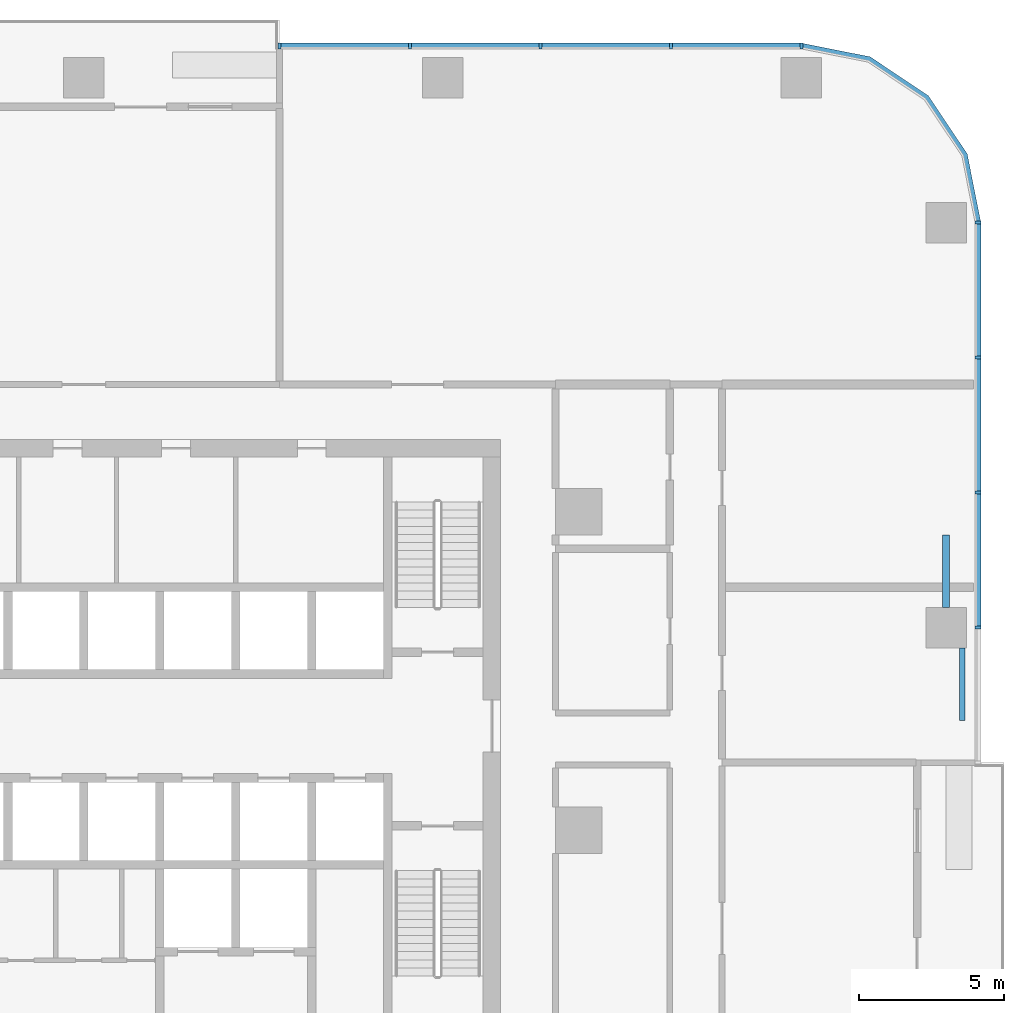
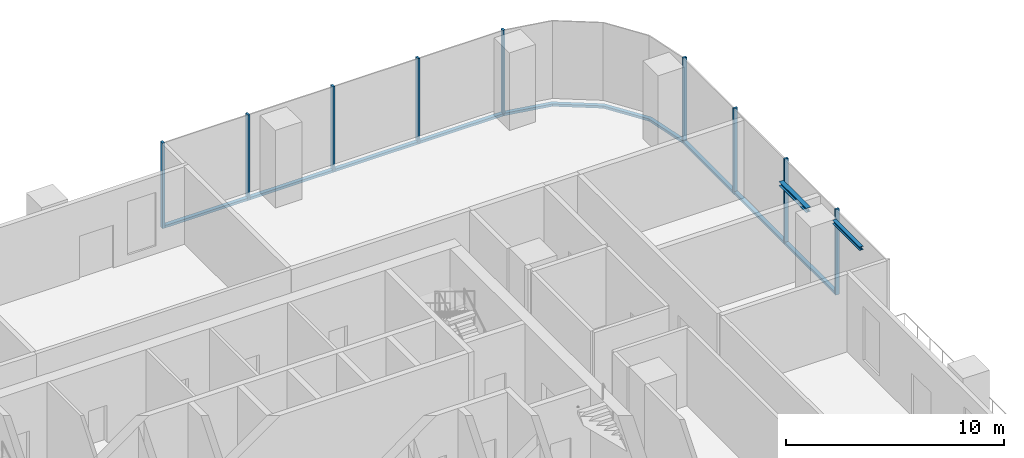
# One storey, part 5 of 14: 17 members, 2 beams, 3 elements without a shape of their own.
"""IFC4 building model written with IfcOpenShell, lengths in metres."""

import ifcopenshell
import ifcopenshell.guid

model = None  # the IFC model being written
_history = None  # IfcOwnerHistory: only IFC2X3 demands one
_inside = {}  # id of a spatial element -> (the spatial element, [elements in it])
_under = {}  # id of a project, library or spatial element -> (it, [spatial elements below it])
_declared = {}  # id of a project -> (the project, [libraries it declares])
_typed = {}  # id of a type object -> (the type object, [elements of that type])
_made_of = {}  # id of a material, layer set ... -> (it, [elements and type objects made of it])


def new_model(schema):
    """Start an empty IFC model of exactly this schema.

    Asked for "IFC4X3", IfcOpenShell would pick the latest addendum, in which some entities
    have other attributes; the version numbers below select the first issue.
    IFC2X3 requires an IfcOwnerHistory on every rooted entity: one is made here for all.
    """
    global model, _history
    if schema == "IFC4X3":
        model = ifcopenshell.file(schema_version=(4, 3, 0, 0))
    else:
        model = ifcopenshell.file(schema=schema)
    _inside.clear()
    _under.clear()
    _declared.clear()
    _typed.clear()
    _made_of.clear()
    _history = None
    if model.schema == "IFC2X3":
        org = make("IfcOrganization", Name="unknown")
        user = make(
            "IfcPersonAndOrganization",
            ThePerson=make("IfcPerson", FamilyName="unknown"),
            TheOrganization=org,
        )
        app = make(
            "IfcApplication",
            ApplicationDeveloper=org,
            Version="unknown",
            ApplicationFullName="unknown",
            ApplicationIdentifier="unknown",
        )
        _history = make(
            "IfcOwnerHistory",
            OwningUser=user,
            OwningApplication=app,
            ChangeAction="ADDED",
            CreationDate=0,
        )
    return model


def make(cls, **values):
    """One entity of the class cls with the attributes given. An attribute that is None is left unset."""
    return model.create_entity(
        cls, **{name: value for name, value in values.items() if value is not None}
    )


def rooted(cls, **values):
    """An entity with a GlobalId (a new one), such as an element, a storey or a relation."""
    return make(cls, GlobalId=ifcopenshell.guid.new(), OwnerHistory=_history, **values)


def si_unit(unit_type, name, prefix=None):
    """IfcSIUnit, for example si_unit("LENGTHUNIT", "METRE", prefix="MILLI")."""
    return make("IfcSIUnit", UnitType=unit_type, Prefix=prefix, Name=name)


def assignment(units):
    """IfcUnitAssignment: the units of a project."""
    return None if units is None else make("IfcUnitAssignment", Units=units)


def point(xyz):
    """IfcCartesianPoint."""
    return None if xyz is None else make("IfcCartesianPoint", Coordinates=xyz)


def direction(xyz):
    """IfcDirection."""
    return None if xyz is None else make("IfcDirection", DirectionRatios=xyz)


def frame(location, z_axis=None, x_axis=None):
    """IfcAxis2Placement3D, a coordinate frame: its origin and axes. An axis left out is left unset."""
    return make(
        "IfcAxis2Placement3D",
        Location=point(location),
        Axis=direction(z_axis),
        RefDirection=direction(x_axis),
    )


def frame_2d(location, x_axis=None):
    """IfcAxis2Placement2D, a coordinate frame in the plane: its origin and x axis."""
    return make(
        "IfcAxis2Placement2D", Location=point(location), RefDirection=direction(x_axis)
    )


def origin():
    """The frame at (0, 0, 0) with its axes left unset."""
    return frame((0.0, 0.0, 0.0))


def origin_2d():
    """The frame at (0, 0) in the plane with its x axis left unset."""
    return frame_2d((0.0, 0.0))


def place(relative_to, where):
    """IfcLocalPlacement: puts the frame where relative to a parent placement (None: the world)."""
    return make(
        "IfcLocalPlacement", PlacementRelTo=relative_to, RelativePlacement=where
    )


def context(
    kind, dimensions, precision=None, world=None, true_north=None, identifier=None
):
    """IfcGeometricRepresentationContext, for example the 3D "Model" context."""
    return make(
        "IfcGeometricRepresentationContext",
        ContextIdentifier=identifier,
        ContextType=kind,
        CoordinateSpaceDimension=dimensions,
        Precision=precision,
        WorldCoordinateSystem=world,
        TrueNorth=true_north,
    )


def subcontext(parent, identifier, kind, view, scale=None):
    """IfcGeometricRepresentationSubContext, for example "Body" below "Model"."""
    return make(
        "IfcGeometricRepresentationSubContext",
        ContextIdentifier=identifier,
        ContextType=kind,
        ParentContext=parent,
        TargetScale=scale,
        TargetView=view,
    )


def project(units=None, contexts=None):
    """IfcProject with its units and contexts."""
    return rooted(
        "IfcProject",
        Name="project",
        RepresentationContexts=contexts,
        UnitsInContext=assignment(units),
    )


def spatial(cls, under=None, at=None, **own):
    """A site, building, storey or space (cls), placed at a placement, below another one or the project."""
    s = rooted(cls, ObjectPlacement=at, **own)
    if under is not None:
        _under.setdefault(under.id(), (under, []))[1].append(s)
    return s


def polyline(points):
    """IfcPolyline through the points."""
    return make("IfcPolyline", Points=[point(p) for p in points])


def profile(cls, at=None, kind="AREA", **sizes):
    """A parametric profile (cls). Its sizes go by their IFC names, for example OverallWidth=200.0."""
    return make(cls, ProfileType=kind, Position=at, **sizes)


def rectangle(**sizes):
    """IfcRectangleProfileDef."""
    return profile("IfcRectangleProfileDef", **sizes)


def i_section(**sizes):
    """IfcIShapeProfileDef."""
    return profile("IfcIShapeProfileDef", **sizes)


def outline(outer, holes=None, kind="AREA"):
    """IfcArbitraryClosedProfileDef: a profile drawn as a closed curve; with holes, ...WithVoids."""
    if holes is None:
        return make("IfcArbitraryClosedProfileDef", ProfileType=kind, OuterCurve=outer)
    return make(
        "IfcArbitraryProfileDefWithVoids",
        ProfileType=kind,
        OuterCurve=outer,
        InnerCurves=holes,
    )


def extrude(swept, where, along, depth):
    """IfcExtrudedAreaSolid: the profile swept, set in the frame where, extruded along a direction by depth."""
    return make(
        "IfcExtrudedAreaSolid",
        SweptArea=swept,
        Position=where,
        ExtrudedDirection=direction(along),
        Depth=depth,
    )


def shape(context_of_items, identifier, shape_type, items):
    """IfcShapeRepresentation: the items that make up one representation, for example the "Body"."""
    return make(
        "IfcShapeRepresentation",
        ContextOfItems=context_of_items,
        RepresentationIdentifier=identifier,
        RepresentationType=shape_type,
        Items=items,
    )


def material(Name=None, Category=None):
    """IfcMaterial."""
    return make("IfcMaterial", Name=Name, Category=Category)


def material_profile(
    of_material, cross_section, Name=None, Category=None, Priority=None
):
    """IfcMaterialProfile: a cross section and its material."""
    return make(
        "IfcMaterialProfile",
        Name=Name,
        Material=of_material,
        Profile=cross_section,
        Priority=Priority,
        Category=Category,
    )


def profile_set(profiles, Name=None, composite=None):
    """IfcMaterialProfileSet."""
    return make(
        "IfcMaterialProfileSet",
        Name=Name,
        MaterialProfiles=profiles,
        CompositeProfile=composite,
    )


def made_of(thing, what):
    """Note that an element or type object is made of a material, layer set ...; save() writes the relation."""
    if what is not None:
        _made_of.setdefault(what.id(), (what, []))[1].append(thing)
    return thing


def type_object(cls, material=None, **own):
    """A type object (cls), such as IfcWallType, which elements share."""
    return made_of(rooted(cls, **own), material)


def element(
    cls,
    number,
    at=None,
    inside=None,
    cuts=None,
    type_object=None,
    material=None,
    context=None,
    identifier="Body",
    shape_type=None,
    held_by="IfcProductDefinitionShape",
    body=None,
    shapes=None,
    **own,
):
    """One element of the class cls, such as IfcWall. Its Tag is "e" and its number.

    at: its placement. inside: the storey or other place that contains it. cuts: it is an
    opening in that element (IfcRelVoidsElement). A single representation is given by context,
    identifier, shape_type and body (its items); several are given by shapes. held_by: the class
    of the entity that holds the representations. save() writes the other relations.
    """
    e = rooted(cls, Tag="e%d" % number, ObjectPlacement=at, **own)
    if body is not None:
        shapes = [shape(context, identifier, shape_type, body)]
    if shapes is not None:
        e.Representation = make(held_by, Representations=shapes)
    if inside is not None:
        _inside.setdefault(inside.id(), (inside, []))[1].append(e)
    if cuts is not None:
        rooted(
            "IfcRelVoidsElement", RelatingBuildingElement=cuts, RelatedOpeningElement=e
        )
    if type_object is not None:
        _typed.setdefault(type_object.id(), (type_object, []))[1].append(e)
    return made_of(e, material)


def aggregate(whole, parts):
    """IfcRelAggregates: a whole, such as a stair, and the parts it consists of."""
    return rooted("IfcRelAggregates", RelatingObject=whole, RelatedObjects=parts)


def save(model, path):
    """Write the relations noted so far, then the file.

    IfcRelAggregates (storeys below a building ...), IfcRelContainedInSpatialStructure (elements
    in a storey), IfcRelDefinesByType, IfcRelAssociatesMaterial and IfcRelDeclares: one each for
    every whole, place, type object, material and project.
    """
    for whole, parts in _under.values():
        aggregate(whole, parts)
    for where, things in _inside.values():
        rooted(
            "IfcRelContainedInSpatialStructure",
            RelatedElements=things,
            RelatingStructure=where,
        )
    for kind, things in _typed.values():
        rooted("IfcRelDefinesByType", RelatedObjects=things, RelatingType=kind)
    for what, things in _made_of.values():
        rooted("IfcRelAssociatesMaterial", RelatedObjects=things, RelatingMaterial=what)
    for by, libraries in _declared.values():
        rooted("IfcRelDeclares", RelatingContext=by, RelatedDefinitions=libraries)
    model.write(path)


model = new_model("IFC4")

# Units and contexts
model_context = context("Model", 3, precision=1e-05, world=origin(), true_north=direction((0.0, 1.0)))
body_context = subcontext(model_context, "Body", "Model", "MODEL_VIEW")
ifc_project = project(units=[si_unit("LENGTHUNIT", "METRE"), si_unit("AREAUNIT", "SQUARE_METRE"), si_unit("VOLUMEUNIT", "CUBIC_METRE"), si_unit("PLANEANGLEUNIT", "RADIAN"), si_unit("MASSUNIT", "GRAM", prefix="KILO")], contexts=[model_context])

# Site, building, storey
site_placement = place(None, origin())
site = spatial("IfcSite", under=ifc_project, at=site_placement, CompositionType="ELEMENT")
building_placement = place(site_placement, origin())
building = spatial("IfcBuilding", under=site, at=building_placement, Name="Mopane Tessera Tower", CompositionType="ELEMENT")
storey_placement = place(building_placement, frame((0.0, 0.0, 55.0)))
storey = spatial("IfcBuildingStorey", under=building, at=storey_placement, Name="L10", CompositionType="ELEMENT", Elevation=55.0)

# Curtain wall, members
ifc_material_1 = material(Name="Aluminium frame", Category="aluminium")
curtain_wall_type = type_object("IfcCurtainWallType", Name="Lower tower unitised wall", PredefinedType="NOTDEFINED", material=ifc_material_1)
curtain_wall_1_placement = place(storey_placement, origin())
curtain_wall_1 = element("IfcCurtainWall", 1, at=curtain_wall_1_placement, inside=storey, type_object=curtain_wall_type, Name="e:cw:L10:E:5", PredefinedType="NOTDEFINED")
ifc_material_2 = material(Name="Aluminium frame", Category="aluminium")
ifc_material_profile_1 = material_profile(ifc_material_2, rectangle(XDim=0.110107421875, YDim=0.199951171875, at=origin_2d()))
ifc_profile_set_1 = profile_set([ifc_material_profile_1], Name="Aluminium frame")
member_type_1 = type_object("IfcMemberType", Name="Aluminium mullion 110 x 200", PredefinedType="MULLION", material=ifc_profile_set_1)
member_1_placement = place(storey_placement, frame((30.89990234375, 7.0, -0.449951171875), z_axis=(0.0, 0.0, 1.0), x_axis=(0.0, 1.0, 0.0)))
member_1 = element("IfcMember", 2, at=member_1_placement, type_object=member_type_1, Name="e:cw:L10:E:5:mu6", PredefinedType="MULLION", context=body_context, shape_type="SweptSolid", body=[
    extrude(rectangle(XDim=0.110107421875, YDim=0.199951171875, at=origin_2d()), origin(), (0.0, 0.0, 1.0), 4.800048828125),
])
member_2_placement = place(storey_placement, frame((30.89990234375, 11.666748046875, -0.449951171875), z_axis=(0.0, 0.0, 1.0), x_axis=(0.0, 1.0, 0.0)))
member_2 = element("IfcMember", 3, at=member_2_placement, type_object=member_type_1, Name="e:cw:L10:E:5:mu7", PredefinedType="MULLION", context=body_context, shape_type="SweptSolid", body=[
    extrude(rectangle(XDim=0.110107421875, YDim=0.199951171875, at=origin_2d()), origin(), (0.0, 0.0, 1.0), 4.800048828125),
])
member_3_placement = place(storey_placement, frame((30.89990234375, 16.333251953125, -0.449951171875), z_axis=(0.0, 0.0, 1.0), x_axis=(0.0, 1.0, 0.0)))
member_3 = element("IfcMember", 4, at=member_3_placement, type_object=member_type_1, Name="e:cw:L10:E:5:mu8", PredefinedType="MULLION", context=body_context, shape_type="SweptSolid", body=[
    extrude(rectangle(XDim=0.110107421875, YDim=0.199951171875, at=origin_2d()), origin(), (0.0, 0.0, 1.0), 4.800048828125),
])
member_4_placement = place(storey_placement, frame((30.89990234375, 21.0, -0.449951171875), z_axis=(0.0, 0.0, 1.0), x_axis=(0.0, 1.0, 0.0)))
member_4 = element("IfcMember", 5, at=member_4_placement, type_object=member_type_1, Name="e:cw:L10:E:5:mu9", PredefinedType="MULLION", context=body_context, shape_type="SweptSolid", body=[
    extrude(rectangle(XDim=0.110107421875, YDim=0.199951171875, at=origin_2d()), origin(), (0.0, 0.0, 1.0), 4.800048828125),
])

curtain_wall_2_placement = place(storey_placement, origin())
curtain_wall_2 = element("IfcCurtainWall", 6, at=curtain_wall_2_placement, inside=storey, type_object=curtain_wall_type, Name="e:cw:L10:N:0", PredefinedType="NOTDEFINED")
member_5_placement = place(storey_placement, frame((24.800048828125, 27.10009765625, -0.449951171875), z_axis=(0.0, 0.0, 1.0), x_axis=(-1.0, 0.0, 0.0)))
member_5 = element("IfcMember", 7, at=member_5_placement, type_object=member_type_1, Name="e:cw:L10:N:0:mu0", PredefinedType="MULLION", context=body_context, shape_type="SweptSolid", body=[
    extrude(rectangle(XDim=0.110107421875, YDim=0.199951171875, at=origin_2d()), origin(), (0.0, 0.0, 1.0), 4.800048828125),
])
member_6_placement = place(storey_placement, frame((20.291015625, 27.10009765625, -0.449951171875), z_axis=(0.0, 0.0, 1.0), x_axis=(-1.0, 0.0, 0.0)))
member_6 = element("IfcMember", 8, at=member_6_placement, type_object=member_type_1, Name="e:cw:L10:N:0:mu1", PredefinedType="MULLION", context=body_context, shape_type="SweptSolid", body=[
    extrude(rectangle(XDim=0.110107421875, YDim=0.199951171875, at=origin_2d()), origin(), (0.0, 0.0, 1.0), 4.800048828125),
])
member_7_placement = place(storey_placement, frame((15.78173828125, 27.10009765625, -0.449951171875), z_axis=(0.0, 0.0, 1.0), x_axis=(-1.0, 0.0, 0.0)))
member_7 = element("IfcMember", 9, at=member_7_placement, type_object=member_type_1, Name="e:cw:L10:N:0:mu2", PredefinedType="MULLION", context=body_context, shape_type="SweptSolid", body=[
    extrude(rectangle(XDim=0.110107421875, YDim=0.199951171875, at=origin_2d()), origin(), (0.0, 0.0, 1.0), 4.800048828125),
])
member_8_placement = place(storey_placement, frame((11.272705078125, 27.10009765625, -0.449951171875), z_axis=(0.0, 0.0, 1.0), x_axis=(-1.0, 0.0, 0.0)))
member_8 = element("IfcMember", 10, at=member_8_placement, type_object=member_type_1, Name="e:cw:L10:N:0:mu3", PredefinedType="MULLION", context=body_context, shape_type="SweptSolid", body=[
    extrude(rectangle(XDim=0.110107421875, YDim=0.199951171875, at=origin_2d()), origin(), (0.0, 0.0, 1.0), 4.800048828125),
])
member_9_placement = place(storey_placement, frame((6.763671875, 27.10009765625, -0.449951171875), z_axis=(0.0, 0.0, 1.0), x_axis=(-1.0, 0.0, 0.0)))
member_9 = element("IfcMember", 11, at=member_9_placement, type_object=member_type_1, Name="e:cw:L10:N:0:mu4", PredefinedType="MULLION", context=body_context, shape_type="SweptSolid", body=[
    extrude(rectangle(XDim=0.110107421875, YDim=0.199951171875, at=origin_2d()), origin(), (0.0, 0.0, 1.0), 4.800048828125),
])

# Member
ifc_material_3 = material(Name="Aluminium frame", Category="aluminium")
ifc_material_profile_2 = material_profile(ifc_material_3, rectangle(XDim=0.199951171875, YDim=0.139892578125, at=origin_2d()))
ifc_profile_set_2 = profile_set([ifc_material_profile_2], Name="Aluminium frame")
member_type_2 = type_object("IfcMemberType", Name="Aluminium transom 200 x 140", PredefinedType="USERDEFINED", material=ifc_profile_set_2)
member_10_placement = place(storey_placement, frame((30.89990234375, 7.054931640625, -0.3798828125), z_axis=(0.0, 1.0, 0.0), x_axis=(-1.0, 0.0, 0.0)))
member_10 = element("IfcMember", 12, at=member_10_placement, type_object=member_type_2, Name="e:cw:L10:E:5:tr6", ObjectType="TRANSOM", PredefinedType="USERDEFINED", context=body_context, shape_type="SweptSolid", body=[
    extrude(rectangle(XDim=0.199951171875, YDim=0.139892578125, at=origin_2d()), origin(), (0.0, 0.0, 1.0), 4.556640625),
])

member_11_placement = place(storey_placement, frame((30.89990234375, 11.7216796875, -0.3798828125), z_axis=(0.0, 1.0, 0.0), x_axis=(-1.0, 0.0, 0.0)))
member_11 = element("IfcMember", 13, at=member_11_placement, type_object=member_type_2, Name="e:cw:L10:E:5:tr7", ObjectType="TRANSOM", PredefinedType="USERDEFINED", context=body_context, shape_type="SweptSolid", body=[
    extrude(rectangle(XDim=0.199951171875, YDim=0.139892578125, at=origin_2d()), origin(), (0.0, 0.0, 1.0), 4.556640625),
])

member_12_placement = place(storey_placement, frame((30.89990234375, 16.388427734375, -0.3798828125), z_axis=(0.0, 1.0, 0.0), x_axis=(-1.0, 0.0, 0.0)))
member_12 = element("IfcMember", 14, at=member_12_placement, type_object=member_type_2, Name="e:cw:L10:E:5:tr8", ObjectType="TRANSOM", PredefinedType="USERDEFINED", context=body_context, shape_type="SweptSolid", body=[
    extrude(rectangle(XDim=0.199951171875, YDim=0.139892578125, at=origin_2d()), origin(), (0.0, 0.0, 1.0), 4.556640625),
])

aggregate(curtain_wall_1, [member_1, member_2, member_3, member_4, member_10, member_11, member_12])

# Curtain wall, member
curtain_wall_3_placement = place(storey_placement, origin())
curtain_wall_3 = element("IfcCurtainWall", 15, at=curtain_wall_3_placement, inside=storey, type_object=curtain_wall_type, Name="e:cw:L10:CE", PredefinedType="NOTDEFINED")
member_13_placement = place(storey_placement, frame((0.0, 0.0, -0.449951171875)))
member_13 = element("IfcMember", 16, at=member_13_placement, type_object=member_type_2, Name="e:cw:L10:CE:tr", ObjectType="TRANSOM", PredefinedType="USERDEFINED", context=body_context, shape_type="SweptSolid", body=[
    extrude(outline(polyline([(30.800048828125, 21.0), (30.34326171875, 23.296142578125), (29.042724609375, 25.24267578125), (27.09619140625, 26.543212890625), (24.800048828125, 27.0), (24.800048828125, 27.199951171875), (27.172607421875, 26.72802734375), (29.18408203125, 25.384033203125), (30.528076171875, 23.37255859375), (31.0, 21.0), (30.800048828125, 21.0)])), origin(), (0.0, 0.0, 1.0), 0.139892578125),
])
aggregate(curtain_wall_3, [member_13])

# Member
member_14_placement = place(storey_placement, frame((24.7451171875, 27.10009765625, -0.3798828125), z_axis=(-1.0, 0.0, 0.0), x_axis=(0.0, -1.0, 0.0)))
member_14 = element("IfcMember", 17, at=member_14_placement, type_object=member_type_2, Name="e:cw:L10:N:0:tr0", ObjectType="TRANSOM", PredefinedType="USERDEFINED", context=body_context, shape_type="SweptSolid", body=[
    extrude(rectangle(XDim=0.199951171875, YDim=0.139892578125, at=origin_2d()), origin(), (0.0, 0.0, 1.0), 4.399169921875),
])

member_15_placement = place(storey_placement, frame((20.23583984375, 27.10009765625, -0.3798828125), z_axis=(-1.0, 0.0, 0.0), x_axis=(0.0, -1.0, 0.0)))
member_15 = element("IfcMember", 18, at=member_15_placement, type_object=member_type_2, Name="e:cw:L10:N:0:tr1", ObjectType="TRANSOM", PredefinedType="USERDEFINED", context=body_context, shape_type="SweptSolid", body=[
    extrude(rectangle(XDim=0.199951171875, YDim=0.139892578125, at=origin_2d()), origin(), (0.0, 0.0, 1.0), 4.39892578125),
])

member_16_placement = place(storey_placement, frame((15.726806640625, 27.10009765625, -0.3798828125), z_axis=(-1.0, 0.0, 0.0), x_axis=(0.0, -1.0, 0.0)))
member_16 = element("IfcMember", 19, at=member_16_placement, type_object=member_type_2, Name="e:cw:L10:N:0:tr2", ObjectType="TRANSOM", PredefinedType="USERDEFINED", context=body_context, shape_type="SweptSolid", body=[
    extrude(rectangle(XDim=0.199951171875, YDim=0.139892578125, at=origin_2d()), origin(), (0.0, 0.0, 1.0), 4.399169921875),
])

member_17_placement = place(storey_placement, frame((11.2177734375, 27.10009765625, -0.3798828125), z_axis=(-1.0, 0.0, 0.0), x_axis=(0.0, -1.0, 0.0)))
member_17 = element("IfcMember", 20, at=member_17_placement, type_object=member_type_2, Name="e:cw:L10:N:0:tr3", ObjectType="TRANSOM", PredefinedType="USERDEFINED", context=body_context, shape_type="SweptSolid", body=[
    extrude(rectangle(XDim=0.199951171875, YDim=0.139892578125, at=origin_2d()), origin(), (0.0, 0.0, 1.0), 4.399169921875),
])

aggregate(curtain_wall_2, [member_5, member_6, member_7, member_8, member_9, member_14, member_15, member_16, member_17])

# Beams
ifc_material_4 = material(Name="Structural steel S460", Category="steel")
ifc_material_profile_3 = material_profile(ifc_material_4, i_section(OverallWidth=0.239990234375, OverallDepth=0.239990234375, WebThickness=0.010009765625, FlangeThickness=0.01708984375, FilletRadius=0.02099609375, at=origin_2d()))
ifc_profile_set_3 = profile_set([ifc_material_profile_3], Name="Structural steel S460")
beam_type_1 = type_object("IfcBeamType", Name="Terrace spandrel beam HE 240 B", PredefinedType="SPANDREL", material=ifc_profile_set_3)
beam_1_placement = place(storey_placement, frame((29.800048828125, 7.702880859375, 4.22998046875), z_axis=(0.0, 1.0, 0.0), x_axis=(-1.0, 0.0, 0.0)))
element("IfcBeam", 21, at=beam_1_placement, inside=storey, type_object=beam_type_1, Name="Terrace spandrel beam N1 L11", PredefinedType="SPANDREL", context=body_context, shape_type="SweptSolid", body=[
    extrude(i_section(OverallWidth=0.239990234375, OverallDepth=0.239990234375, WebThickness=0.010009765625, FlangeThickness=0.01708984375, FilletRadius=0.02099609375, at=origin_2d()), origin(), (0.0, 0.0, 1.0), 2.5),
])
ifc_material_5 = material(Name="Structural steel S460", Category="steel")
ifc_material_profile_4 = material_profile(ifc_material_5, i_section(OverallWidth=0.199951171875, OverallDepth=0.199951171875, WebThickness=0.009033203125, FlangeThickness=0.014892578125, FilletRadius=0.01806640625, at=origin_2d()))
ifc_profile_set_4 = profile_set([ifc_material_profile_4], Name="Structural steel S460")
beam_type_2 = type_object("IfcBeamType", Name="Terrace trimmer beam HE 200 B", PredefinedType="BEAM", material=ifc_profile_set_4)
beam_2_placement = place(storey_placement, frame((30.360107421875, 6.297119140625, 4.25), z_axis=(0.0, -1.0, 0.0), x_axis=(1.0, 0.0, 0.0)))
element("IfcBeam", 22, at=beam_2_placement, inside=storey, type_object=beam_type_2, Name="Terrace trimmer beam N1 L11", PredefinedType="BEAM", context=body_context, shape_type="SweptSolid", body=[
    extrude(i_section(OverallWidth=0.199951171875, OverallDepth=0.199951171875, WebThickness=0.009033203125, FlangeThickness=0.014892578125, FilletRadius=0.01806640625, at=origin_2d()), origin(), (0.0, 0.0, 1.0), 2.5),
])

save(model, "model.ifc")
